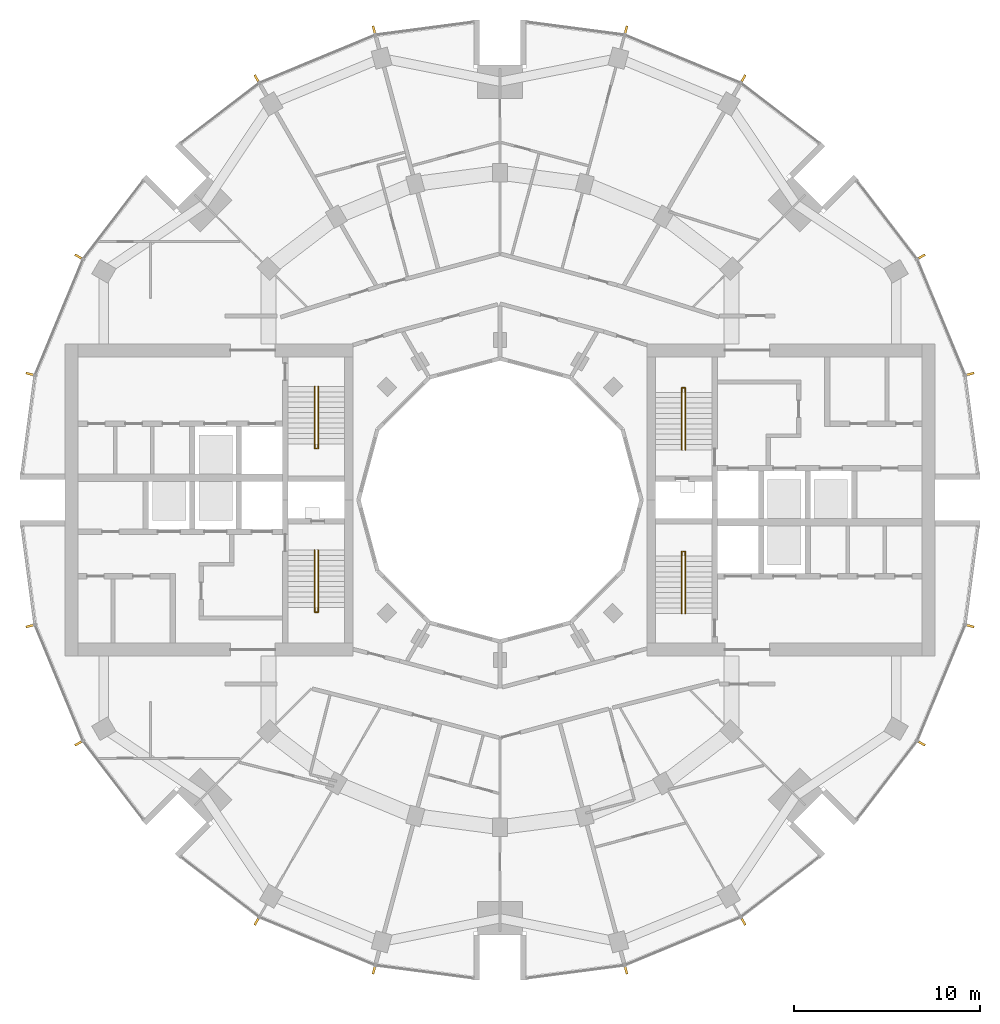
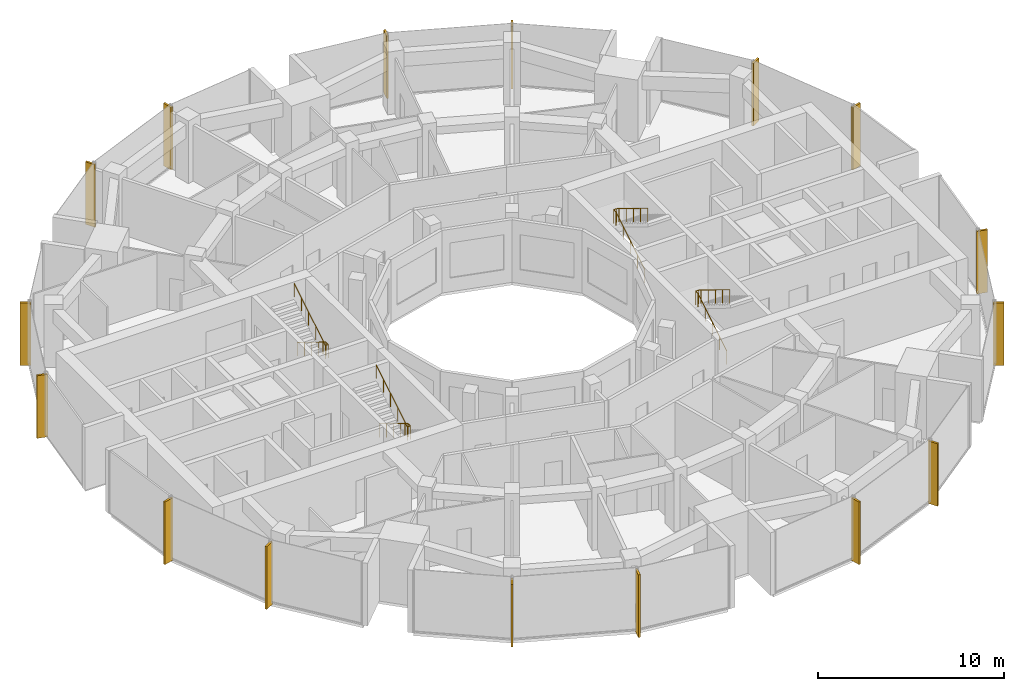
# One storey, part 14 of 15: 16 shading devices, 4 railings.
"""IFC4 building model written with IfcOpenShell, lengths in metres."""

from ifc_helpers import new_model, si_unit, direction, frame, origin, origin_2d, place, context, subcontext, project, spatial, rectangle, circle, extrude, material, material_profile, profile_set, type_object, element, save


model = new_model("IFC4")

# Units and contexts
model_context = context("Model", 3, precision=1e-05, world=origin(), true_north=direction((0.0, 1.0)))
body_context = subcontext(model_context, "Body", "Model", "MODEL_VIEW")
ifc_project = project(units=[si_unit("LENGTHUNIT", "METRE"), si_unit("AREAUNIT", "SQUARE_METRE"), si_unit("VOLUMEUNIT", "CUBIC_METRE"), si_unit("PLANEANGLEUNIT", "RADIAN"), si_unit("MASSUNIT", "GRAM", prefix="KILO")], contexts=[model_context])

# Site, building, storey
site_placement = place(None, origin())
site = spatial("IfcSite", under=ifc_project, at=site_placement, CompositionType="ELEMENT")
building_placement = place(site_placement, origin())
building = spatial("IfcBuilding", under=site, at=building_placement, Name="Torre Brocal", CompositionType="ELEMENT")
storey_placement = place(building_placement, frame((0.0, 0.0, 186.39990234375)))
storey = spatial("IfcBuildingStorey", under=building, at=storey_placement, Name="L43", CompositionType="ELEMENT", Elevation=186.39990234375)

# Shading devices
ifc_material_1 = material(Name="Aluminium, black anodised", Category="aluminium")
ifc_material_profile = material_profile(ifc_material_1, rectangle(XDim=0.1201171875, YDim=0.60009765625, at=origin_2d()), Name="FIN 120X600 4100 HIGH")
ifc_profile_set = profile_set([ifc_material_profile], Name="Aluminium, black anodised")
shading_device_type = type_object("IfcShadingDeviceType", Name="FIN 120X600 4100 HIGH", PredefinedType="USERDEFINED", material=ifc_profile_set)
for number, where, z_axis, x_axis, name in (
    (1, (105.208984375, 81.754638671875, -0.14990234375), (0.0, 0.0, 1.0), (-0.258819045103, 0.965925826289, 0.0), "FIN"),
    (2, (102.601806640625, 88.049072265625, -0.14990234375), (0.0, 0.0, 1.0), (-0.5, 0.866025403784, 0.0), "FIN"),
    (3, (93.049072265625, 97.601806640625, -0.14990234375), (0.0, 0.0, 1.0), (-0.866025403784, 0.5, 0.0), "FIN"),
    (4, (86.754638671875, 100.208984375, -0.14990234375), (0.0, 0.0, 1.0), (-0.965925826289, 0.258819045103, 0.0), "FIN"),
    (5, (73.245361328125, 100.208984375, -0.14990234375), (0.0, 0.0, 1.0), (-0.965925826289, -0.258819045103, 0.0), "FIN"),
    (6, (66.950927734375, 97.601806640625, -0.14990234375), (0.0, 0.0, 1.0), (-0.866025403784, -0.5, 0.0), "FIN"),
    (7, (57.398193359375, 88.049072265625, -0.14990234375), (0.0, 0.0, 1.0), (-0.5, -0.866025403784, 0.0), "FIN"),
    (8, (54.791015625, 81.754638671875, -0.14990234375), (0.0, 0.0, 1.0), (-0.258819045103, -0.965925826289, 0.0), "FIN"),
    (9, (54.791015625, 68.245361328125, -0.14990234375), (0.0, 0.0, 1.0), (0.258819045103, -0.965925826289, 0.0), "FIN"),
    (10, (57.398193359375, 61.950927734375, -0.14990234375), (0.0, 0.0, 1.0), (0.5, -0.866025403784, 0.0), "FIN"),
    (11, (66.950927734375, 52.398193359375, -0.14990234375), (0.0, 0.0, 1.0), (0.866025403784, -0.5, 0.0), "FIN"),
    (12, (73.245361328125, 49.791015625, -0.14990234375), (0.0, 0.0, 1.0), (0.965925826289, -0.258819045103, 0.0), "FIN"),
    (13, (86.754638671875, 49.791015625, -0.14990234375), (0.0, 0.0, 1.0), (0.965925826289, 0.258819045103, 0.0), "FIN"),
    (14, (93.049072265625, 52.398193359375, -0.14990234375), (0.0, 0.0, 1.0), (0.866025403784, 0.5, 0.0), "FIN"),
    (15, (102.601806640625, 61.950927734375, -0.14990234375), (0.0, 0.0, 1.0), (0.5, 0.866025403784, 0.0), "FIN"),
    (16, (105.208984375, 68.245361328125, -0.14990234375), (0.0, 0.0, 1.0), (0.258819045103, 0.965925826289, 0.0), "FIN"),
):
    element("IfcShadingDevice", number, at=place(storey_placement, frame(where, z_axis=z_axis, x_axis=x_axis)), inside=storey, type_object=shading_device_type, Name=name, ObjectType="FIN", PredefinedType="USERDEFINED", context=body_context, shape_type="SweptSolid", body=[
        extrude(rectangle(XDim=0.1201171875, YDim=0.60009765625, at=origin_2d()), origin(), (0.0, 0.0, 1.0), 4.10009765625),
    ])

# Railings
ifc_material_2 = material(Name="Stainless steel AISI 316", Category="steel")
railing_type = type_object("IfcRailingType", Name="STAIR HANDRAIL", PredefinedType="HANDRAIL", material=ifc_material_2)
railing_1_placement = place(storey_placement, frame((89.780029296875, 77.699951171875, 0.1708984375)))
element("IfcRailing", 17, at=railing_1_placement, inside=storey, type_object=railing_type, Name="HANDRAIL ST1", PredefinedType="HANDRAIL", context=body_context, shape_type="SweptSolid", body=[
    extrude(circle(Radius=0.02392578125, at=origin_2d()), frame((0.0, 0.0, 0.8759765625), z_axis=(0.0, 0.853666305674, 0.52082035152), x_axis=(-1.0, 0.0, 0.0)), (0.0, 0.0, 1.0), 3.608154296875),
    extrude(circle(Radius=0.02392578125, at=origin_2d()), frame((0.0, 3.080078125, 2.7548828125), z_axis=(0.0, 1.0, 0.0), x_axis=(-1.0, 0.0, 0.0)), (0.0, 0.0, 1.0), 0.25),
    extrude(circle(Radius=0.02392578125, at=origin_2d()), frame((0.0, 3.330078125, 2.7548828125), z_axis=(1.0, 0.0, 0.0), x_axis=(0.0, 1.0, 0.0)), (0.0, 0.0, 1.0), 0.18994140625),
    extrude(circle(Radius=0.02392578125, at=origin_2d()), frame((0.18994140625, 3.330078125, 2.7548828125), z_axis=(0.0, -0.825544483742, 0.564337049433), x_axis=(1.0, 0.0, 0.0)), (0.0, 0.0, 1.0), 0.302734375),
    extrude(circle(Radius=0.02392578125, at=origin_2d()), frame((0.18994140625, 3.080078125, 2.92578125), z_axis=(0.0, -0.853666305674, 0.52082035152), x_axis=(1.0, 0.0, 0.0)), (0.0, 0.0, 1.0), 3.608154296875),
    extrude(circle(Radius=0.02099609375, at=origin_2d()), origin(), (0.0, 0.0, 1.0), 0.851806640625),
    extrude(circle(Radius=0.02099609375, at=origin_2d()), frame((0.0, 0.77001953125, 0.4697265625)), (0.0, 0.0, 1.0), 0.851806640625),
    extrude(circle(Radius=0.02099609375, at=origin_2d()), frame((0.0, 1.5400390625, 0.939453125)), (0.0, 0.0, 1.0), 0.851806640625),
    extrude(circle(Radius=0.02099609375, at=origin_2d()), frame((0.0, 2.31005859375, 1.409423828125)), (0.0, 0.0, 1.0), 0.851806640625),
    extrude(circle(Radius=0.02099609375, at=origin_2d()), frame((0.0, 3.080078125, 1.879150390625)), (0.0, 0.0, 1.0), 0.851806640625),
    extrude(circle(Radius=0.02099609375, at=origin_2d()), frame((0.0, 3.330078125, 1.879150390625)), (0.0, 0.0, 1.0), 0.851806640625),
    extrude(circle(Radius=0.02099609375, at=origin_2d()), frame((0.18994140625, 3.330078125, 1.879150390625)), (0.0, 0.0, 1.0), 0.851806640625),
    extrude(circle(Radius=0.02099609375, at=origin_2d()), frame((0.18994140625, 3.080078125, 2.050048828125)), (0.0, 0.0, 1.0), 0.851806640625),
    extrude(circle(Radius=0.02099609375, at=origin_2d()), frame((0.18994140625, 2.31005859375, 2.519775390625)), (0.0, 0.0, 1.0), 0.851806640625),
    extrude(circle(Radius=0.02099609375, at=origin_2d()), frame((0.18994140625, 1.5400390625, 2.98974609375)), (0.0, 0.0, 1.0), 0.851806640625),
    extrude(circle(Radius=0.02099609375, at=origin_2d()), frame((0.18994140625, 0.77001953125, 3.45947265625)), (0.0, 0.0, 1.0), 0.851806640625),
    extrude(circle(Radius=0.02099609375, at=origin_2d()), frame((0.18994140625, 0.0, 3.92919921875)), (0.0, 0.0, 1.0), 0.851806640625),
])
railing_2_placement = place(storey_placement, frame((89.780029296875, 68.89990234375, 0.1708984375)))
element("IfcRailing", 18, at=railing_2_placement, inside=storey, type_object=railing_type, Name="HANDRAIL ST2", PredefinedType="HANDRAIL", context=body_context, shape_type="SweptSolid", body=[
    extrude(circle(Radius=0.02392578125, at=origin_2d()), frame((0.0, 0.0, 0.8759765625), z_axis=(0.0, 0.853666305674, 0.52082035152), x_axis=(-1.0, 0.0, 0.0)), (0.0, 0.0, 1.0), 3.608154296875),
    extrude(circle(Radius=0.02392578125, at=origin_2d()), frame((0.0, 3.080078125, 2.7548828125), z_axis=(0.0, 1.0, 0.0), x_axis=(-1.0, 0.0, 0.0)), (0.0, 0.0, 1.0), 0.25),
    extrude(circle(Radius=0.02392578125, at=origin_2d()), frame((0.0, 3.330078125, 2.7548828125), z_axis=(1.0, 0.0, 0.0), x_axis=(0.0, 1.0, 0.0)), (0.0, 0.0, 1.0), 0.18994140625),
    extrude(circle(Radius=0.02392578125, at=origin_2d()), frame((0.18994140625, 3.330078125, 2.7548828125), z_axis=(0.0, -0.825544483742, 0.564337049433), x_axis=(1.0, 0.0, 0.0)), (0.0, 0.0, 1.0), 0.302734375),
    extrude(circle(Radius=0.02392578125, at=origin_2d()), frame((0.18994140625, 3.080078125, 2.92578125), z_axis=(0.0, -0.853666305674, 0.52082035152), x_axis=(1.0, 0.0, 0.0)), (0.0, 0.0, 1.0), 3.608154296875),
    extrude(circle(Radius=0.02099609375, at=origin_2d()), origin(), (0.0, 0.0, 1.0), 0.851806640625),
    extrude(circle(Radius=0.02099609375, at=origin_2d()), frame((0.0, 0.77001953125, 0.4697265625)), (0.0, 0.0, 1.0), 0.851806640625),
    extrude(circle(Radius=0.02099609375, at=origin_2d()), frame((0.0, 1.5400390625, 0.939453125)), (0.0, 0.0, 1.0), 0.851806640625),
    extrude(circle(Radius=0.02099609375, at=origin_2d()), frame((0.0, 2.31005859375, 1.409423828125)), (0.0, 0.0, 1.0), 0.851806640625),
    extrude(circle(Radius=0.02099609375, at=origin_2d()), frame((0.0, 3.080078125, 1.879150390625)), (0.0, 0.0, 1.0), 0.851806640625),
    extrude(circle(Radius=0.02099609375, at=origin_2d()), frame((0.0, 3.330078125, 1.879150390625)), (0.0, 0.0, 1.0), 0.851806640625),
    extrude(circle(Radius=0.02099609375, at=origin_2d()), frame((0.18994140625, 3.330078125, 1.879150390625)), (0.0, 0.0, 1.0), 0.851806640625),
    extrude(circle(Radius=0.02099609375, at=origin_2d()), frame((0.18994140625, 3.080078125, 2.050048828125)), (0.0, 0.0, 1.0), 0.851806640625),
    extrude(circle(Radius=0.02099609375, at=origin_2d()), frame((0.18994140625, 2.31005859375, 2.519775390625)), (0.0, 0.0, 1.0), 0.851806640625),
    extrude(circle(Radius=0.02099609375, at=origin_2d()), frame((0.18994140625, 1.5400390625, 2.98974609375)), (0.0, 0.0, 1.0), 0.851806640625),
    extrude(circle(Radius=0.02099609375, at=origin_2d()), frame((0.18994140625, 0.77001953125, 3.45947265625)), (0.0, 0.0, 1.0), 0.851806640625),
    extrude(circle(Radius=0.02099609375, at=origin_2d()), frame((0.18994140625, 0.0, 3.92919921875)), (0.0, 0.0, 1.0), 0.851806640625),
])
railing_3_placement = place(storey_placement, frame((70.219970703125, 72.300048828125, 0.1708984375)))
element("IfcRailing", 19, at=railing_3_placement, inside=storey, type_object=railing_type, Name="HANDRAIL ST3", PredefinedType="HANDRAIL", context=body_context, shape_type="SweptSolid", body=[
    extrude(circle(Radius=0.02392578125, at=origin_2d()), frame((0.0, 0.0, 0.8759765625), z_axis=(0.0, -0.853666305674, 0.52082035152), x_axis=(1.0, 0.0, 0.0)), (0.0, 0.0, 1.0), 3.608154296875),
    extrude(circle(Radius=0.02392578125, at=origin_2d()), frame((0.0, -3.080078125, 2.7548828125), z_axis=(0.0, -1.0, 0.0), x_axis=(1.0, 0.0, 0.0)), (0.0, 0.0, 1.0), 0.25),
    extrude(circle(Radius=0.02392578125, at=origin_2d()), frame((0.0, -3.330078125, 2.7548828125), z_axis=(-1.0, 0.0, 0.0), x_axis=(0.0, -1.0, 0.0)), (0.0, 0.0, 1.0), 0.18994140625),
    extrude(circle(Radius=0.02392578125, at=origin_2d()), frame((-0.18994140625, -3.330078125, 2.7548828125), z_axis=(0.0, 0.825544483742, 0.564337049433), x_axis=(-1.0, 0.0, 0.0)), (0.0, 0.0, 1.0), 0.302734375),
    extrude(circle(Radius=0.02392578125, at=origin_2d()), frame((-0.18994140625, -3.080078125, 2.92578125), z_axis=(0.0, 0.853666305674, 0.52082035152), x_axis=(-1.0, 0.0, 0.0)), (0.0, 0.0, 1.0), 3.608154296875),
    extrude(circle(Radius=0.02099609375, at=origin_2d()), origin(), (0.0, 0.0, 1.0), 0.851806640625),
    extrude(circle(Radius=0.02099609375, at=origin_2d()), frame((0.0, -0.77001953125, 0.4697265625)), (0.0, 0.0, 1.0), 0.851806640625),
    extrude(circle(Radius=0.02099609375, at=origin_2d()), frame((0.0, -1.5400390625, 0.939453125)), (0.0, 0.0, 1.0), 0.851806640625),
    extrude(circle(Radius=0.02099609375, at=origin_2d()), frame((0.0, -2.31005859375, 1.409423828125)), (0.0, 0.0, 1.0), 0.851806640625),
    extrude(circle(Radius=0.02099609375, at=origin_2d()), frame((0.0, -3.080078125, 1.879150390625)), (0.0, 0.0, 1.0), 0.851806640625),
    extrude(circle(Radius=0.02099609375, at=origin_2d()), frame((0.0, -3.330078125, 1.879150390625)), (0.0, 0.0, 1.0), 0.851806640625),
    extrude(circle(Radius=0.02099609375, at=origin_2d()), frame((-0.18994140625, -3.330078125, 1.879150390625)), (0.0, 0.0, 1.0), 0.851806640625),
    extrude(circle(Radius=0.02099609375, at=origin_2d()), frame((-0.18994140625, -3.080078125, 2.050048828125)), (0.0, 0.0, 1.0), 0.851806640625),
    extrude(circle(Radius=0.02099609375, at=origin_2d()), frame((-0.18994140625, -2.31005859375, 2.519775390625)), (0.0, 0.0, 1.0), 0.851806640625),
    extrude(circle(Radius=0.02099609375, at=origin_2d()), frame((-0.18994140625, -1.5400390625, 2.98974609375)), (0.0, 0.0, 1.0), 0.851806640625),
    extrude(circle(Radius=0.02099609375, at=origin_2d()), frame((-0.18994140625, -0.77001953125, 3.45947265625)), (0.0, 0.0, 1.0), 0.851806640625),
    extrude(circle(Radius=0.02099609375, at=origin_2d()), frame((-0.18994140625, 0.0, 3.92919921875)), (0.0, 0.0, 1.0), 0.851806640625),
])
railing_4_placement = place(storey_placement, frame((70.219970703125, 81.10009765625, 0.1708984375)))
element("IfcRailing", 20, at=railing_4_placement, inside=storey, type_object=railing_type, Name="HANDRAIL ST4", PredefinedType="HANDRAIL", context=body_context, shape_type="SweptSolid", body=[
    extrude(circle(Radius=0.02392578125, at=origin_2d()), frame((0.0, 0.0, 0.8759765625), z_axis=(0.0, -0.853666305674, 0.52082035152), x_axis=(1.0, 0.0, 0.0)), (0.0, 0.0, 1.0), 3.608154296875),
    extrude(circle(Radius=0.02392578125, at=origin_2d()), frame((0.0, -3.080078125, 2.7548828125), z_axis=(0.0, -1.0, 0.0), x_axis=(1.0, 0.0, 0.0)), (0.0, 0.0, 1.0), 0.25),
    extrude(circle(Radius=0.02392578125, at=origin_2d()), frame((0.0, -3.330078125, 2.7548828125), z_axis=(-1.0, 0.0, 0.0), x_axis=(0.0, -1.0, 0.0)), (0.0, 0.0, 1.0), 0.18994140625),
    extrude(circle(Radius=0.02392578125, at=origin_2d()), frame((-0.18994140625, -3.330078125, 2.7548828125), z_axis=(0.0, 0.825544483742, 0.564337049433), x_axis=(-1.0, 0.0, 0.0)), (0.0, 0.0, 1.0), 0.302734375),
    extrude(circle(Radius=0.02392578125, at=origin_2d()), frame((-0.18994140625, -3.080078125, 2.92578125), z_axis=(0.0, 0.853666305674, 0.52082035152), x_axis=(-1.0, 0.0, 0.0)), (0.0, 0.0, 1.0), 3.608154296875),
    extrude(circle(Radius=0.02099609375, at=origin_2d()), origin(), (0.0, 0.0, 1.0), 0.851806640625),
    extrude(circle(Radius=0.02099609375, at=origin_2d()), frame((0.0, -0.77001953125, 0.4697265625)), (0.0, 0.0, 1.0), 0.851806640625),
    extrude(circle(Radius=0.02099609375, at=origin_2d()), frame((0.0, -1.5400390625, 0.939453125)), (0.0, 0.0, 1.0), 0.851806640625),
    extrude(circle(Radius=0.02099609375, at=origin_2d()), frame((0.0, -2.31005859375, 1.409423828125)), (0.0, 0.0, 1.0), 0.851806640625),
    extrude(circle(Radius=0.02099609375, at=origin_2d()), frame((0.0, -3.080078125, 1.879150390625)), (0.0, 0.0, 1.0), 0.851806640625),
    extrude(circle(Radius=0.02099609375, at=origin_2d()), frame((0.0, -3.330078125, 1.879150390625)), (0.0, 0.0, 1.0), 0.851806640625),
    extrude(circle(Radius=0.02099609375, at=origin_2d()), frame((-0.18994140625, -3.330078125, 1.879150390625)), (0.0, 0.0, 1.0), 0.851806640625),
    extrude(circle(Radius=0.02099609375, at=origin_2d()), frame((-0.18994140625, -3.080078125, 2.050048828125)), (0.0, 0.0, 1.0), 0.851806640625),
    extrude(circle(Radius=0.02099609375, at=origin_2d()), frame((-0.18994140625, -2.31005859375, 2.519775390625)), (0.0, 0.0, 1.0), 0.851806640625),
    extrude(circle(Radius=0.02099609375, at=origin_2d()), frame((-0.18994140625, -1.5400390625, 2.98974609375)), (0.0, 0.0, 1.0), 0.851806640625),
    extrude(circle(Radius=0.02099609375, at=origin_2d()), frame((-0.18994140625, -0.77001953125, 3.45947265625)), (0.0, 0.0, 1.0), 0.851806640625),
    extrude(circle(Radius=0.02099609375, at=origin_2d()), frame((-0.18994140625, 0.0, 3.92919921875)), (0.0, 0.0, 1.0), 0.851806640625),
])

save(model, "model.ifc")
